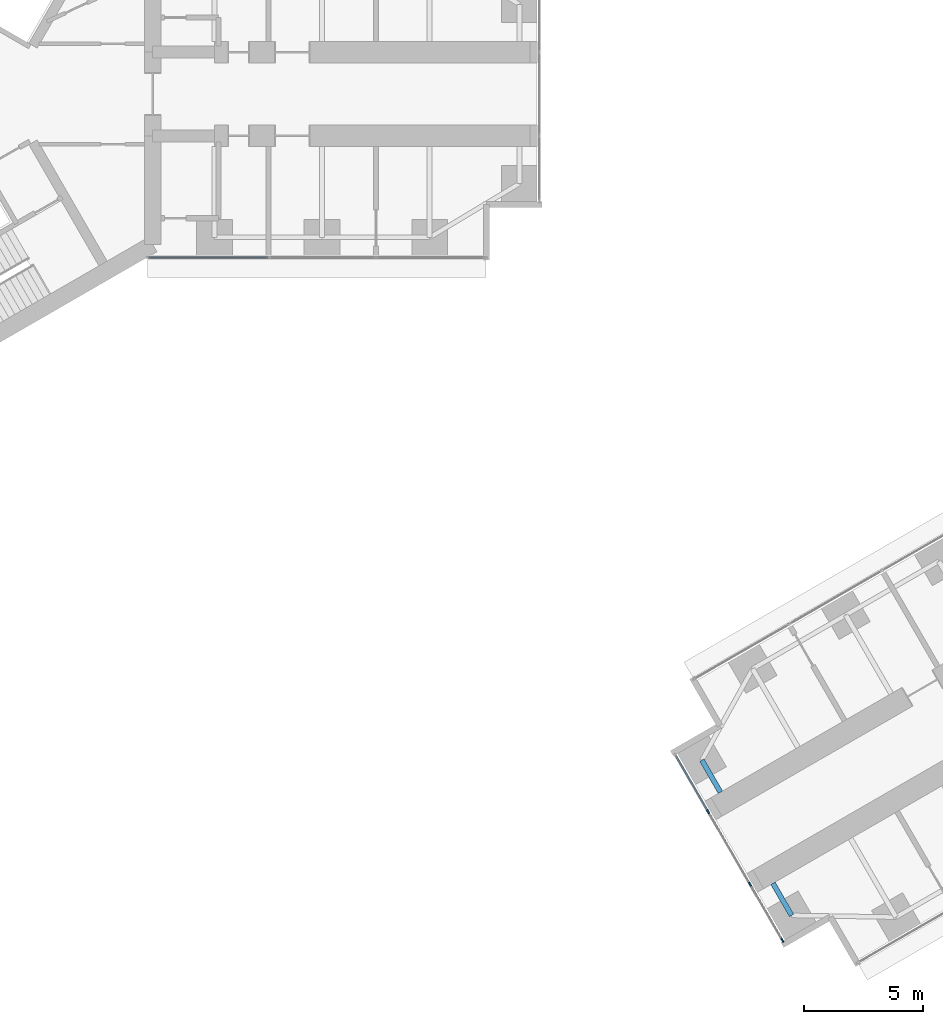
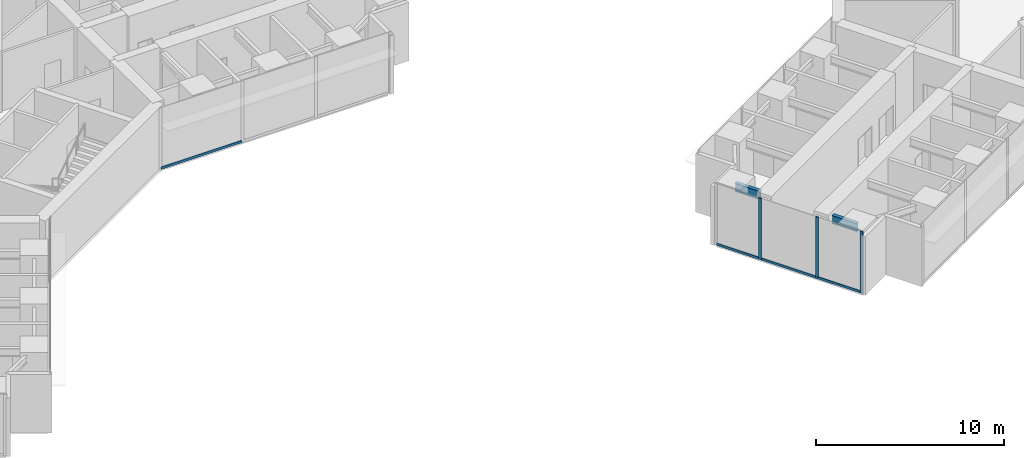
# One storey, part 3 of 22: 7 members, 2 beams, 2 elements without a shape of their own.
"""IFC4 building model written with IfcOpenShell, lengths in metres."""

from ifc_helpers import new_model, si_unit, direction, frame, origin, origin_2d, place, context, subcontext, project, spatial, rectangle, i_section, extrude, material, material_profile, profile_set, type_object, element, aggregate, save


model = new_model("IFC4")

# Units and contexts
model_context = context("Model", 3, precision=1e-05, world=origin(), true_north=direction((0.0, 1.0)))
body_context = subcontext(model_context, "Body", "Model", "MODEL_VIEW")
ifc_project = project(units=[si_unit("LENGTHUNIT", "METRE"), si_unit("AREAUNIT", "SQUARE_METRE"), si_unit("VOLUMEUNIT", "CUBIC_METRE"), si_unit("PLANEANGLEUNIT", "RADIAN"), si_unit("MASSUNIT", "GRAM", prefix="KILO")], contexts=[model_context])

# Site, building, storey
site_placement = place(None, origin())
site = spatial("IfcSite", under=ifc_project, at=site_placement, CompositionType="ELEMENT")
building_placement = place(site_placement, origin())
building = spatial("IfcBuilding", under=site, at=building_placement, Name="Upepo Twin Towers", CompositionType="ELEMENT")
storey_placement = place(building_placement, frame((0.0, 0.0, 40.5)))
storey = spatial("IfcBuildingStorey", under=building, at=storey_placement, Name="L09", CompositionType="ELEMENT", Elevation=40.5)

# Beams
ifc_material_1 = material(Name="Steel S355", Category="steel")
ifc_material_profile_1 = material_profile(ifc_material_1, i_section(OverallWidth=0.2099609375, OverallDepth=0.53662109375, WebThickness=0.0107421875, FlangeThickness=0.017333984375, FilletRadius=0.0126953125, at=origin_2d()), Name="UB 533x210x101")
ifc_profile_set_1 = profile_set([ifc_material_profile_1], Name="Steel S355")
beam_type = type_object("IfcBeamType", Name="Beam UB 533x210x101", PredefinedType="BEAM", material=ifc_profile_set_1)
for number, where, z_axis, x_axis, name in (
    (1, (37.641845703125, -34.37255859375, 3.53173828125), (-0.499967891604, 0.866043940782, 0.0), (-0.866043940782, -0.499967891604, 0.0), "T2 nose beam BL"),
    (2, (33.891845703125, -27.87744140625, 3.53173828125), (0.499967891604, -0.866043940782, 0.0), (0.866043940782, 0.499967891604, 0.0), "T2 nose beam BR"),
):
    element("IfcBeam", number, at=place(storey_placement, frame(where, z_axis=z_axis, x_axis=x_axis)), inside=storey, type_object=beam_type, Name=name, PredefinedType="BEAM", context=body_context, shape_type="SweptSolid", body=[
        extrude(i_section(OverallWidth=0.2099609375, OverallDepth=0.53662109375, WebThickness=0.0107421875, FlangeThickness=0.017333984375, FilletRadius=0.0126953125, at=origin_2d()), origin(), (0.0, 0.0, 1.0), 1.5498046875),
    ])

# Curtain wall, members
ifc_material_2 = material(Name="Aluminium and fritted glass", Category="aluminium")
curtain_wall_type = type_object("IfcCurtainWallType", Name="Tower curtain wall TW1, fritted glass", PredefinedType="NOTDEFINED", material=ifc_material_2)
curtain_wall_1_placement = place(storey_placement, origin())
curtain_wall_1 = element("IfcCurtainWall", 3, at=curtain_wall_1_placement, inside=storey, type_object=curtain_wall_type, Name="T2 L09 wing B nose curtain wall", PredefinedType="NOTDEFINED")
ifc_material_3 = material(Name="Aluminium mullion", Category="aluminium")
ifc_material_profile_2 = material_profile(ifc_material_3, rectangle(XDim=0.06494140625, YDim=0.179931640625, at=origin_2d()), Name="MULLION 65x180")
ifc_profile_set_2 = profile_set([ifc_material_profile_2], Name="Aluminium mullion")
member_type_1 = type_object("IfcMemberType", Name="Mullion 65x180 TW1", PredefinedType="MULLION", material=ifc_profile_set_2)
member_1_placement = place(storey_placement, frame((34.15576171875, -30.034423828125, 0.0), z_axis=(0.0, 0.0, 1.0), x_axis=(0.866025386174, 0.500000030502, 0.0)))
member_1 = element("IfcMember", 4, at=member_1_placement, type_object=member_type_1, Name="T2 L09 wing B nose curtain wall mullion 2", PredefinedType="MULLION", context=body_context, shape_type="SweptSolid", body=[
    extrude(rectangle(XDim=0.06494140625, YDim=0.179931640625, at=origin_2d()), origin(), (0.0, 0.0, 1.0), 4.0),
])
member_2_placement = place(storey_placement, frame((35.90576171875, -33.0654296875, 0.0), z_axis=(0.0, 0.0, 1.0), x_axis=(0.866025386174, 0.500000030502, 0.0)))
member_2 = element("IfcMember", 5, at=member_2_placement, type_object=member_type_1, Name="T2 L09 wing B nose curtain wall mullion 3", PredefinedType="MULLION", context=body_context, shape_type="SweptSolid", body=[
    extrude(rectangle(XDim=0.06494140625, YDim=0.179931640625, at=origin_2d()), origin(), (0.0, 0.0, 1.0), 4.0),
])
member_3_placement = place(storey_placement, frame((37.264404296875, -35.4189453125, 0.0), z_axis=(0.0, 0.0, 1.0), x_axis=(0.866025386174, 0.500000030502, 0.0)))
member_3 = element("IfcMember", 6, at=member_3_placement, type_object=member_type_1, Name="T2 L09 wing B nose curtain wall mullion 4", PredefinedType="MULLION", context=body_context, shape_type="SweptSolid", body=[
    extrude(rectangle(XDim=0.06494140625, YDim=0.179931640625, at=origin_2d()), origin(), (0.0, 0.0, 1.0), 4.0),
])

# Curtain wall, member
curtain_wall_2_placement = place(storey_placement, origin())
curtain_wall_2 = element("IfcCurtainWall", 7, at=curtain_wall_2_placement, inside=storey, type_object=curtain_wall_type, Name="T1 L09 wing A flank R curtain wall", PredefinedType="NOTDEFINED")
ifc_material_4 = material(Name="Aluminium transom", Category="aluminium")
ifc_material_profile_3 = material_profile(ifc_material_4, rectangle(XDim=0.06494140625, YDim=0.14990234375, at=origin_2d()), Name="TRANSOM 65x150")
ifc_profile_set_3 = profile_set([ifc_material_profile_3], Name="Aluminium transom")
member_type_2 = type_object("IfcMemberType", Name="Transom 65x150 TW1", PredefinedType="USERDEFINED", material=ifc_profile_set_3)
member_4_placement = place(storey_placement, frame((15.717529296875, -6.85009765625, 0.074951171875), z_axis=(-1.0, 0.0, 0.0), x_axis=(0.0, -1.0, 0.0)))
member_4 = element("IfcMember", 8, at=member_4_placement, type_object=member_type_2, Name="T1 L09 wing A flank R curtain wall transom 3", ObjectType="TRANSOM", PredefinedType="USERDEFINED", context=body_context, shape_type="SweptSolid", body=[
    extrude(rectangle(XDim=0.06494140625, YDim=0.14990234375, at=origin_2d()), origin(), (0.0, 0.0, 1.0), 4.96533203125),
])
aggregate(curtain_wall_2, [member_4])

# Member
member_5_placement = place(storey_placement, frame((32.813232421875, -27.709228515625, 0.074951171875), z_axis=(0.499980071345, -0.866036909293, 0.0), x_axis=(0.866036909293, 0.499980071345, 0.0)))
member_5 = element("IfcMember", 9, at=member_5_placement, type_object=member_type_2, Name="T2 L09 wing B nose curtain wall transom 1", ObjectType="TRANSOM", PredefinedType="USERDEFINED", context=body_context, shape_type="SweptSolid", body=[
    extrude(rectangle(XDim=0.06494140625, YDim=0.14990234375, at=origin_2d()), origin(), (0.0, 0.0, 1.0), 2.65234375),
])

member_6_placement = place(storey_placement, frame((34.171875, -30.0625, 0.074951171875), z_axis=(0.499999305434, -0.866025804792, 0.0), x_axis=(0.866025804792, 0.499999305434, 0.0)))
member_6 = element("IfcMember", 10, at=member_6_placement, type_object=member_type_2, Name="T2 L09 wing B nose curtain wall transom 2", ObjectType="TRANSOM", PredefinedType="USERDEFINED", context=body_context, shape_type="SweptSolid", body=[
    extrude(rectangle(XDim=0.06494140625, YDim=0.14990234375, at=origin_2d()), origin(), (0.0, 0.0, 1.0), 3.43505859375),
])

member_7_placement = place(storey_placement, frame((35.921875, -33.09375, 0.074951171875), z_axis=(0.500049101008, -0.865997053448, 0.0), x_axis=(0.865997053448, 0.500049101008, 0.0)))
member_7 = element("IfcMember", 11, at=member_7_placement, type_object=member_type_2, Name="T2 L09 wing B nose curtain wall transom 3", ObjectType="TRANSOM", PredefinedType="USERDEFINED", context=body_context, shape_type="SweptSolid", body=[
    extrude(rectangle(XDim=0.06494140625, YDim=0.14990234375, at=origin_2d()), origin(), (0.0, 0.0, 1.0), 2.652587890625),
])

aggregate(curtain_wall_1, [member_1, member_2, member_3, member_5, member_6, member_7])

save(model, "model.ifc")
